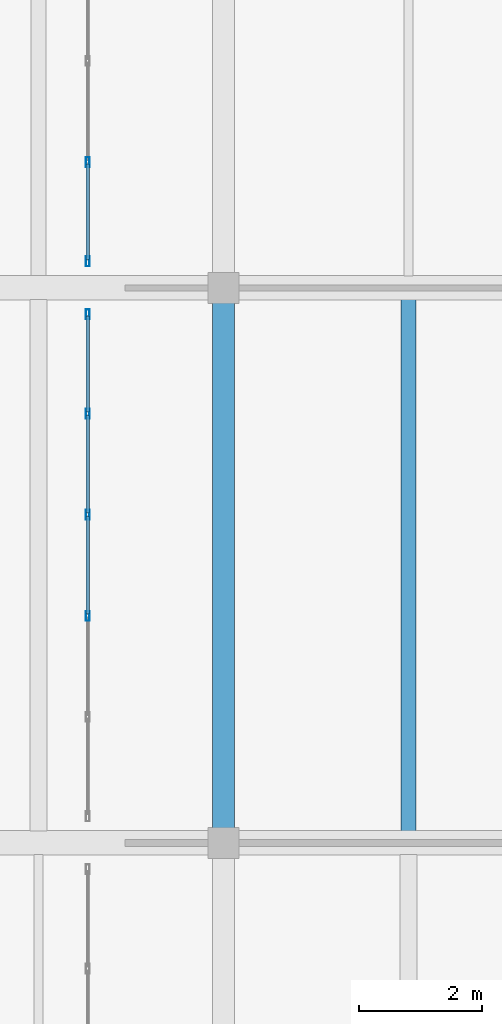
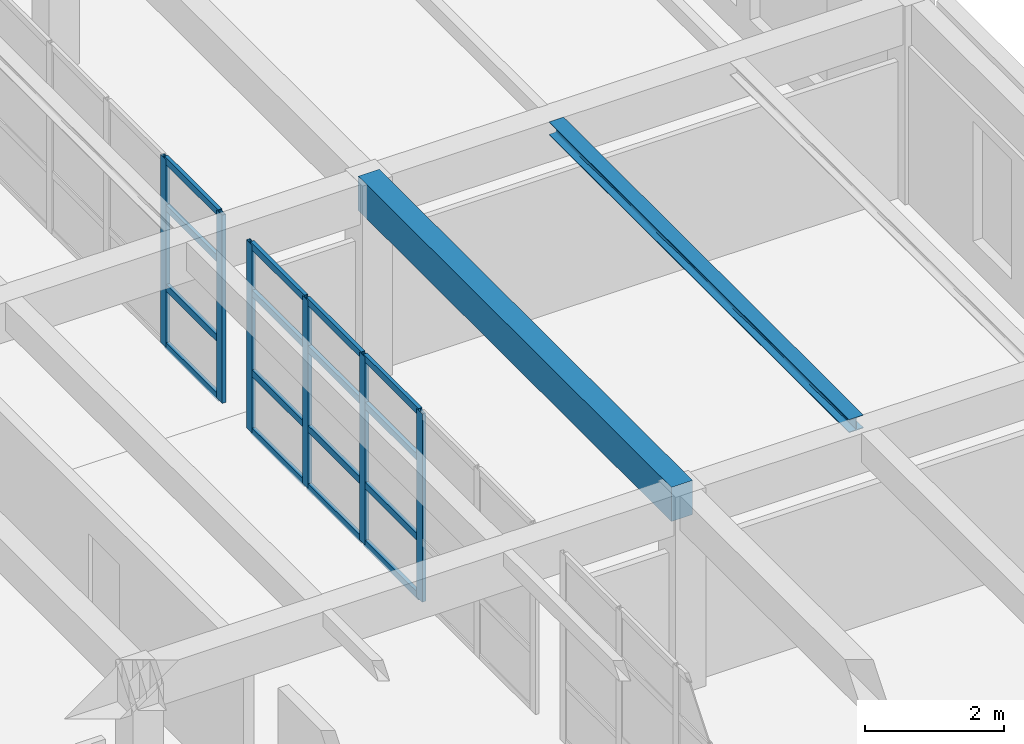
# One storey, part 15 of 156: 22 members, 2 beams, 2 elements without a shape of their own.
"""IFC4 building model written with IfcOpenShell, lengths in metres."""

from ifc_helpers import new_model, si_unit, direction, frame, origin, origin_2d, place, context, subcontext, project, spatial, rectangle, hollow_rectangle, i_section, extrude, material, layer, layer_set, material_profile, profile_set, type_object, element, aggregate, save


model = new_model("IFC4")

# Units and contexts
model_context = context("Model", 3, precision=1e-05, world=origin(), true_north=direction((0.0, 1.0)))
body_context = subcontext(model_context, "Body", "Model", "MODEL_VIEW")
ifc_project = project(units=[si_unit("LENGTHUNIT", "METRE"), si_unit("AREAUNIT", "SQUARE_METRE"), si_unit("VOLUMEUNIT", "CUBIC_METRE"), si_unit("PLANEANGLEUNIT", "RADIAN"), si_unit("MASSUNIT", "GRAM", prefix="KILO")], contexts=[model_context])

# Site, building, storey
site_placement = place(None, origin())
site = spatial("IfcSite", under=ifc_project, at=site_placement, CompositionType="ELEMENT")
building_placement = place(site_placement, origin())
building = spatial("IfcBuilding", under=site, at=building_placement, Name="Ornek Quay Market", CompositionType="ELEMENT")
storey_placement = place(building_placement, frame((0.0, 0.0, 4.5)))
storey = spatial("IfcBuildingStorey", under=building, at=storey_placement, Name="L01", CompositionType="ELEMENT", Elevation=4.5)

# Beams
ifc_material_1 = material(Name="Concrete C35/45", Category="concrete")
ifc_material_profile_1 = material_profile(ifc_material_1, rectangle(XDim=0.35009765625, YDim=0.60009765625, at=origin_2d()), Name="RC 350x600", Category="concrete")
ifc_profile_set_1 = profile_set([ifc_material_profile_1], Name="Concrete C35/45")
beam_type_1 = type_object("IfcBeamType", Name="BM-RF-350x600", PredefinedType="BEAM", material=ifc_profile_set_1)
beam_1_placement = place(storey_placement, frame((18.0, 38.0, 3.179931640625), z_axis=(0.0, 1.0, 0.0), x_axis=(-1.0, 0.0, 0.0)))
element("IfcBeam", 1, at=beam_1_placement, inside=storey, type_object=beam_type_1, Name="Primary beam B-RF1-008", PredefinedType="BEAM", context=body_context, shape_type="SweptSolid", body=[
    extrude(rectangle(XDim=0.35009765625, YDim=0.60009765625, at=origin_2d()), origin(), (0.0, 0.0, 1.0), 9.0),
])
ifc_material_2 = material(Name="Steel S355", Category="steel")
ifc_material_profile_2 = material_profile(ifc_material_2, i_section(OverallWidth=0.239990234375, OverallDepth=0.22998046875, WebThickness=0.007568359375, FlangeThickness=0.011962890625, FilletRadius=0.02099609375, at=origin_2d()), Name="HEA 240", Category="steel")
ifc_profile_set_2 = profile_set([ifc_material_profile_2], Name="Steel S355")
beam_type_2 = type_object("IfcBeamType", Name="BM-STL-HEA240", PredefinedType="BEAM", material=ifc_profile_set_2)
beam_2_placement = place(storey_placement, frame((21.0, 38.19189453125, 3.364990234375), z_axis=(0.0, 1.0, 0.0), x_axis=(-1.0, 0.0, 0.0)))
element("IfcBeam", 2, at=beam_2_placement, inside=storey, type_object=beam_type_2, Name="Secondary joist SB-14-009", PredefinedType="BEAM", context=body_context, shape_type="SweptSolid", body=[
    extrude(i_section(OverallWidth=0.239990234375, OverallDepth=0.22998046875, WebThickness=0.007568359375, FlangeThickness=0.011962890625, FilletRadius=0.02099609375, at=origin_2d()), origin(), (0.0, 0.0, 1.0), 8.6162109375),
])

# Curtain wall, members
ifc_material_3 = material(Name="Anodised bronze aluminium and triple low-e glass", Category="aluminium")
ifc_layer = layer(ifc_material_3, 0.179931640625, Name="Anodised bronze aluminium and triple low-e glass", Category="aluminium")
ifc_layer_set = layer_set([ifc_layer], Name="Anodised bronze aluminium and triple low-e glass")
curtain_wall_type = type_object("IfcCurtainWallType", Name="CW-CONC-MOD1500", PredefinedType="USERDEFINED", material=ifc_layer_set)
curtain_wall_1_placement = place(storey_placement, origin())
curtain_wall_1 = element("IfcCurtainWall", 3, at=curtain_wall_1_placement, inside=storey, type_object=curtain_wall_type, Name="Curtain wall CW-135", ObjectType="CURTAIN WALL", PredefinedType="USERDEFINED")
ifc_material_4 = material(Name="Anodised aluminium 6063-T6", Category="aluminium")
ifc_material_profile_3 = material_profile(ifc_material_4, hollow_rectangle(XDim=0.06005859375, YDim=0.159912109375, WallThickness=0.00390625, at=origin_2d()), Name="CW-MUL-60x160", Category="aluminium")
ifc_profile_set_3 = profile_set([ifc_material_profile_3], Name="Anodised aluminium 6063-T6")
member_type_1 = type_object("IfcMemberType", Name="CW-MUL-60x160", PredefinedType="MULLION", material=ifc_profile_set_3)
member_1_placement = place(storey_placement, frame((15.800048828125, 41.679931640625, 0.0), z_axis=(0.0, 0.0, 1.0), x_axis=(-1.0, 0.0, 0.0)))
member_1 = element("IfcMember", 4, at=member_1_placement, type_object=member_type_1, Name="CW-135 mullion 3", PredefinedType="MULLION", context=body_context, shape_type="SweptSolid", body=[
    extrude(hollow_rectangle(XDim=0.06005859375, YDim=0.159912109375, WallThickness=0.00390625, at=origin_2d()), origin(), (0.0, 0.0, 1.0), 3.300048828125),
])
member_2_placement = place(storey_placement, frame((15.800048828125, 43.320068359375, 0.0), z_axis=(0.0, 0.0, 1.0), x_axis=(-1.0, 0.0, 0.0)))
member_2 = element("IfcMember", 5, at=member_2_placement, type_object=member_type_1, Name="CW-135 mullion 4", PredefinedType="MULLION", context=body_context, shape_type="SweptSolid", body=[
    extrude(hollow_rectangle(XDim=0.06005859375, YDim=0.159912109375, WallThickness=0.00390625, at=origin_2d()), origin(), (0.0, 0.0, 1.0), 3.300048828125),
])
member_3_placement = place(storey_placement, frame((15.800048828125, 44.9599609375, 0.0), z_axis=(0.0, 0.0, 1.0), x_axis=(-1.0, 0.0, 0.0)))
member_3 = element("IfcMember", 6, at=member_3_placement, type_object=member_type_1, Name="CW-135 mullion 5", PredefinedType="MULLION", context=body_context, shape_type="SweptSolid", body=[
    extrude(hollow_rectangle(XDim=0.06005859375, YDim=0.159912109375, WallThickness=0.00390625, at=origin_2d()), origin(), (0.0, 0.0, 1.0), 3.300048828125),
])
member_4_placement = place(storey_placement, frame((15.800048828125, 46.570068359375, 0.0), z_axis=(0.0, 0.0, 1.0), x_axis=(-1.0, 0.0, 0.0)))
member_4 = element("IfcMember", 7, at=member_4_placement, type_object=member_type_1, Name="CW-135 mullion 6", PredefinedType="MULLION", context=body_context, shape_type="SweptSolid", body=[
    extrude(hollow_rectangle(XDim=0.06005859375, YDim=0.159912109375, WallThickness=0.00390625, at=origin_2d()), origin(), (0.0, 0.0, 1.0), 3.300048828125),
])

curtain_wall_2_placement = place(storey_placement, origin())
curtain_wall_2 = element("IfcCurtainWall", 8, at=curtain_wall_2_placement, inside=storey, type_object=curtain_wall_type, Name="Curtain wall CW-137", ObjectType="CURTAIN WALL", PredefinedType="USERDEFINED")
member_5_placement = place(storey_placement, frame((15.800048828125, 47.429931640625, 0.0), z_axis=(0.0, 0.0, 1.0), x_axis=(-1.0, 0.0, 0.0)))
member_5 = element("IfcMember", 9, at=member_5_placement, type_object=member_type_1, Name="CW-137 mullion 1", PredefinedType="MULLION", context=body_context, shape_type="SweptSolid", body=[
    extrude(hollow_rectangle(XDim=0.06005859375, YDim=0.159912109375, WallThickness=0.00390625, at=origin_2d()), origin(), (0.0, 0.0, 1.0), 3.300048828125),
])
member_6_placement = place(storey_placement, frame((15.800048828125, 49.0400390625, 0.0), z_axis=(0.0, 0.0, 1.0), x_axis=(-1.0, 0.0, 0.0)))
member_6 = element("IfcMember", 10, at=member_6_placement, type_object=member_type_1, Name="CW-137 mullion 2", PredefinedType="MULLION", context=body_context, shape_type="SweptSolid", body=[
    extrude(hollow_rectangle(XDim=0.06005859375, YDim=0.159912109375, WallThickness=0.00390625, at=origin_2d()), origin(), (0.0, 0.0, 1.0), 3.300048828125),
])

# Member
ifc_material_profile_4 = material_profile(ifc_material_4, hollow_rectangle(XDim=0.06005859375, YDim=0.1201171875, WallThickness=0.00390625, at=origin_2d()), Name="CW-TRN-60x120", Category="aluminium")
ifc_profile_set_4 = profile_set([ifc_material_profile_4], Name="Anodised aluminium 6063-T6")
member_type_2 = type_object("IfcMemberType", Name="CW-TRN-60x120", PredefinedType="USERDEFINED", material=ifc_profile_set_4)
member_7_placement = place(storey_placement, frame((15.800048828125, 41.7099609375, 0.030029296875), z_axis=(0.0, 1.0, 0.0), x_axis=(-1.0, 0.0, 0.0)))
member_7 = element("IfcMember", 11, at=member_7_placement, type_object=member_type_2, Name="CW-135 transom 3.1", ObjectType="TRANSOM", PredefinedType="USERDEFINED", context=body_context, shape_type="SweptSolid", body=[
    extrude(hollow_rectangle(XDim=0.06005859375, YDim=0.1201171875, WallThickness=0.00390625, at=origin_2d()), origin(), (0.0, 0.0, 1.0), 1.580078125),
])

member_8_placement = place(storey_placement, frame((15.800048828125, 41.7099609375, 1.050048828125), z_axis=(0.0, 1.0, 0.0), x_axis=(-1.0, 0.0, 0.0)))
member_8 = element("IfcMember", 12, at=member_8_placement, type_object=member_type_2, Name="CW-135 transom 3.2", ObjectType="TRANSOM", PredefinedType="USERDEFINED", context=body_context, shape_type="SweptSolid", body=[
    extrude(hollow_rectangle(XDim=0.06005859375, YDim=0.1201171875, WallThickness=0.00390625, at=origin_2d()), origin(), (0.0, 0.0, 1.0), 1.580078125),
])

member_9_placement = place(storey_placement, frame((15.800048828125, 41.7099609375, 2.449951171875), z_axis=(0.0, 1.0, 0.0), x_axis=(-1.0, 0.0, 0.0)))
member_9 = element("IfcMember", 13, at=member_9_placement, type_object=member_type_2, Name="CW-135 transom 3.3", ObjectType="TRANSOM", PredefinedType="USERDEFINED", context=body_context, shape_type="SweptSolid", body=[
    extrude(hollow_rectangle(XDim=0.06005859375, YDim=0.1201171875, WallThickness=0.00390625, at=origin_2d()), origin(), (0.0, 0.0, 1.0), 1.580078125),
])

member_10_placement = place(storey_placement, frame((15.800048828125, 41.7099609375, 3.27001953125), z_axis=(0.0, 1.0, 0.0), x_axis=(-1.0, 0.0, 0.0)))
member_10 = element("IfcMember", 14, at=member_10_placement, type_object=member_type_2, Name="CW-135 transom 3.4", ObjectType="TRANSOM", PredefinedType="USERDEFINED", context=body_context, shape_type="SweptSolid", body=[
    extrude(hollow_rectangle(XDim=0.06005859375, YDim=0.1201171875, WallThickness=0.00390625, at=origin_2d()), origin(), (0.0, 0.0, 1.0), 1.580078125),
])

member_11_placement = place(storey_placement, frame((15.800048828125, 43.35009765625, 0.030029296875), z_axis=(0.0, 1.0, 0.0), x_axis=(-1.0, 0.0, 0.0)))
member_11 = element("IfcMember", 15, at=member_11_placement, type_object=member_type_2, Name="CW-135 transom 4.1", ObjectType="TRANSOM", PredefinedType="USERDEFINED", context=body_context, shape_type="SweptSolid", body=[
    extrude(hollow_rectangle(XDim=0.06005859375, YDim=0.1201171875, WallThickness=0.00390625, at=origin_2d()), origin(), (0.0, 0.0, 1.0), 1.579833984375),
])

member_12_placement = place(storey_placement, frame((15.800048828125, 43.35009765625, 1.050048828125), z_axis=(0.0, 1.0, 0.0), x_axis=(-1.0, 0.0, 0.0)))
member_12 = element("IfcMember", 16, at=member_12_placement, type_object=member_type_2, Name="CW-135 transom 4.2", ObjectType="TRANSOM", PredefinedType="USERDEFINED", context=body_context, shape_type="SweptSolid", body=[
    extrude(hollow_rectangle(XDim=0.06005859375, YDim=0.1201171875, WallThickness=0.00390625, at=origin_2d()), origin(), (0.0, 0.0, 1.0), 1.579833984375),
])

member_13_placement = place(storey_placement, frame((15.800048828125, 43.35009765625, 2.449951171875), z_axis=(0.0, 1.0, 0.0), x_axis=(-1.0, 0.0, 0.0)))
member_13 = element("IfcMember", 17, at=member_13_placement, type_object=member_type_2, Name="CW-135 transom 4.3", ObjectType="TRANSOM", PredefinedType="USERDEFINED", context=body_context, shape_type="SweptSolid", body=[
    extrude(hollow_rectangle(XDim=0.06005859375, YDim=0.1201171875, WallThickness=0.00390625, at=origin_2d()), origin(), (0.0, 0.0, 1.0), 1.579833984375),
])

member_14_placement = place(storey_placement, frame((15.800048828125, 43.35009765625, 3.27001953125), z_axis=(0.0, 1.0, 0.0), x_axis=(-1.0, 0.0, 0.0)))
member_14 = element("IfcMember", 18, at=member_14_placement, type_object=member_type_2, Name="CW-135 transom 4.4", ObjectType="TRANSOM", PredefinedType="USERDEFINED", context=body_context, shape_type="SweptSolid", body=[
    extrude(hollow_rectangle(XDim=0.06005859375, YDim=0.1201171875, WallThickness=0.00390625, at=origin_2d()), origin(), (0.0, 0.0, 1.0), 1.579833984375),
])

member_15_placement = place(storey_placement, frame((15.800048828125, 44.989990234375, 0.030029296875), z_axis=(0.0, 1.0, 0.0), x_axis=(-1.0, 0.0, 0.0)))
member_15 = element("IfcMember", 19, at=member_15_placement, type_object=member_type_2, Name="CW-135 transom 5.1", ObjectType="TRANSOM", PredefinedType="USERDEFINED", context=body_context, shape_type="SweptSolid", body=[
    extrude(hollow_rectangle(XDim=0.06005859375, YDim=0.1201171875, WallThickness=0.00390625, at=origin_2d()), origin(), (0.0, 0.0, 1.0), 1.550048828125),
])

member_16_placement = place(storey_placement, frame((15.800048828125, 44.989990234375, 1.050048828125), z_axis=(0.0, 1.0, 0.0), x_axis=(-1.0, 0.0, 0.0)))
member_16 = element("IfcMember", 20, at=member_16_placement, type_object=member_type_2, Name="CW-135 transom 5.2", ObjectType="TRANSOM", PredefinedType="USERDEFINED", context=body_context, shape_type="SweptSolid", body=[
    extrude(hollow_rectangle(XDim=0.06005859375, YDim=0.1201171875, WallThickness=0.00390625, at=origin_2d()), origin(), (0.0, 0.0, 1.0), 1.550048828125),
])

member_17_placement = place(storey_placement, frame((15.800048828125, 44.989990234375, 2.449951171875), z_axis=(0.0, 1.0, 0.0), x_axis=(-1.0, 0.0, 0.0)))
member_17 = element("IfcMember", 21, at=member_17_placement, type_object=member_type_2, Name="CW-135 transom 5.3", ObjectType="TRANSOM", PredefinedType="USERDEFINED", context=body_context, shape_type="SweptSolid", body=[
    extrude(hollow_rectangle(XDim=0.06005859375, YDim=0.1201171875, WallThickness=0.00390625, at=origin_2d()), origin(), (0.0, 0.0, 1.0), 1.550048828125),
])

member_18_placement = place(storey_placement, frame((15.800048828125, 44.989990234375, 3.27001953125), z_axis=(0.0, 1.0, 0.0), x_axis=(-1.0, 0.0, 0.0)))
member_18 = element("IfcMember", 22, at=member_18_placement, type_object=member_type_2, Name="CW-135 transom 5.4", ObjectType="TRANSOM", PredefinedType="USERDEFINED", context=body_context, shape_type="SweptSolid", body=[
    extrude(hollow_rectangle(XDim=0.06005859375, YDim=0.1201171875, WallThickness=0.00390625, at=origin_2d()), origin(), (0.0, 0.0, 1.0), 1.550048828125),
])

aggregate(curtain_wall_1, [member_1, member_2, member_3, member_4, member_7, member_8, member_9, member_10, member_11, member_12, member_13, member_14, member_15, member_16, member_17, member_18])

member_19_placement = place(storey_placement, frame((15.800048828125, 47.4599609375, 0.030029296875), z_axis=(0.0, 1.0, 0.0), x_axis=(-1.0, 0.0, 0.0)))
member_19 = element("IfcMember", 23, at=member_19_placement, type_object=member_type_2, Name="CW-137 transom 1.1", ObjectType="TRANSOM", PredefinedType="USERDEFINED", context=body_context, shape_type="SweptSolid", body=[
    extrude(hollow_rectangle(XDim=0.06005859375, YDim=0.1201171875, WallThickness=0.00390625, at=origin_2d()), origin(), (0.0, 0.0, 1.0), 1.550048828125),
])

member_20_placement = place(storey_placement, frame((15.800048828125, 47.4599609375, 1.050048828125), z_axis=(0.0, 1.0, 0.0), x_axis=(-1.0, 0.0, 0.0)))
member_20 = element("IfcMember", 24, at=member_20_placement, type_object=member_type_2, Name="CW-137 transom 1.2", ObjectType="TRANSOM", PredefinedType="USERDEFINED", context=body_context, shape_type="SweptSolid", body=[
    extrude(hollow_rectangle(XDim=0.06005859375, YDim=0.1201171875, WallThickness=0.00390625, at=origin_2d()), origin(), (0.0, 0.0, 1.0), 1.550048828125),
])

member_21_placement = place(storey_placement, frame((15.800048828125, 47.4599609375, 2.449951171875), z_axis=(0.0, 1.0, 0.0), x_axis=(-1.0, 0.0, 0.0)))
member_21 = element("IfcMember", 25, at=member_21_placement, type_object=member_type_2, Name="CW-137 transom 1.3", ObjectType="TRANSOM", PredefinedType="USERDEFINED", context=body_context, shape_type="SweptSolid", body=[
    extrude(hollow_rectangle(XDim=0.06005859375, YDim=0.1201171875, WallThickness=0.00390625, at=origin_2d()), origin(), (0.0, 0.0, 1.0), 1.550048828125),
])

member_22_placement = place(storey_placement, frame((15.800048828125, 47.4599609375, 3.27001953125), z_axis=(0.0, 1.0, 0.0), x_axis=(-1.0, 0.0, 0.0)))
member_22 = element("IfcMember", 26, at=member_22_placement, type_object=member_type_2, Name="CW-137 transom 1.4", ObjectType="TRANSOM", PredefinedType="USERDEFINED", context=body_context, shape_type="SweptSolid", body=[
    extrude(hollow_rectangle(XDim=0.06005859375, YDim=0.1201171875, WallThickness=0.00390625, at=origin_2d()), origin(), (0.0, 0.0, 1.0), 1.550048828125),
])

aggregate(curtain_wall_2, [member_5, member_6, member_19, member_20, member_21, member_22])

save(model, "model.ifc")
